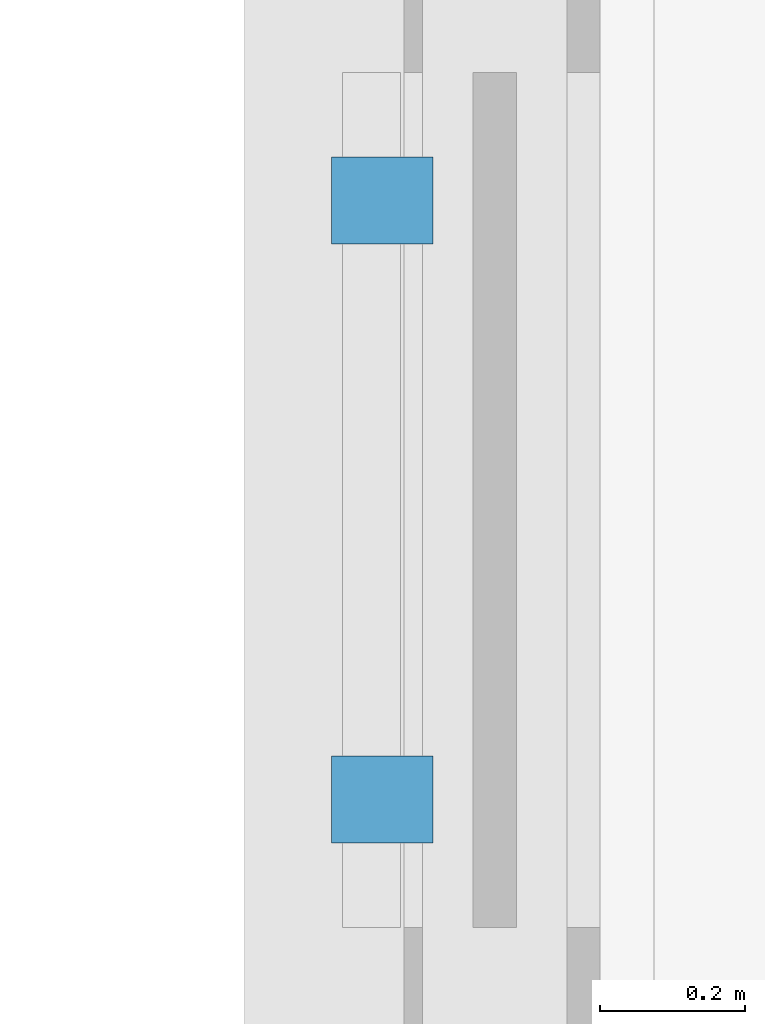
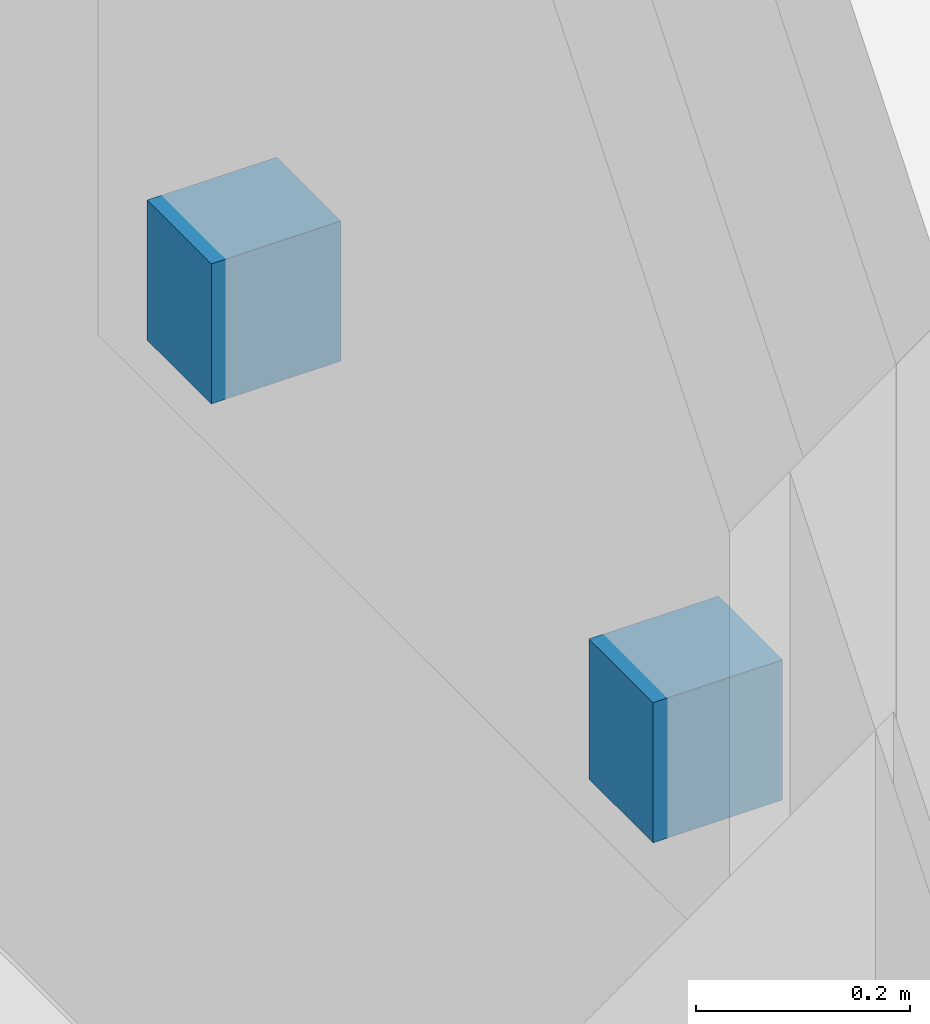
# One storey, part 46 of 57: 2 discrete accessories.
"""IFC4 building model written with IfcOpenShell, lengths in metres."""

from ifc_helpers import new_model, si_unit, direction, frame, origin, origin_2d, place, context, subcontext, project, spatial, rectangle, extrude, material, type_object, element, save


model = new_model("IFC4")

# Units and contexts
model_context = context("Model", 3, precision=1e-05, world=origin(), true_north=direction((0.0, 1.0)))
body_context = subcontext(model_context, "Body", "Model", "MODEL_VIEW")
ifc_project = project(units=[si_unit("LENGTHUNIT", "METRE"), si_unit("AREAUNIT", "SQUARE_METRE"), si_unit("VOLUMEUNIT", "CUBIC_METRE"), si_unit("PLANEANGLEUNIT", "RADIAN"), si_unit("MASSUNIT", "GRAM", prefix="KILO")], contexts=[model_context])

# Site, building, storey
site_placement = place(None, origin())
site = spatial("IfcSite", under=ifc_project, at=site_placement, CompositionType="ELEMENT")
building_placement = place(site_placement, origin())
building = spatial("IfcBuilding", under=site, at=building_placement, Name="Hawrajan Terrace Health Centre", CompositionType="ELEMENT")
storey_placement = place(building_placement, frame((0.0, 0.0, 13.199951171875)))
storey = spatial("IfcBuildingStorey", under=building, at=storey_placement, Name="L03", CompositionType="ELEMENT", Elevation=13.199951171875)

# Discrete accessories
ifc_material = material(Name="Steel S355", Category="steel")
discrete_accessory_type = type_object("IfcDiscreteAccessoryType", Name="FacadeBracket_S355", PredefinedType="BRACKET", material=ifc_material)
for number, where, z_axis, x_axis, name in (
    (1, (47.64501953125, 8.14697265625, 0.97021484375), (0.0, 0.0, 1.0), (0.0, 1.0, 0.0), "Roshan support bracket BRK-L03-222-1"),
    (2, (47.64501953125, 8.972900390625, 0.97021484375), (0.0, 0.0, 1.0), (0.0, 1.0, 0.0), "Roshan support bracket BRK-L03-222-2"),
):
    element("IfcDiscreteAccessory", number, at=place(storey_placement, frame(where, z_axis=z_axis, x_axis=x_axis)), inside=storey, type_object=discrete_accessory_type, Name=name, PredefinedType="BRACKET", context=body_context, shape_type="SweptSolid", body=[
        extrude(rectangle(XDim=0.1201171875, YDim=0.139892578125, at=origin_2d()), origin(), (0.0, 0.0, 1.0), 0.159912109375),
    ])

save(model, "model.ifc")
